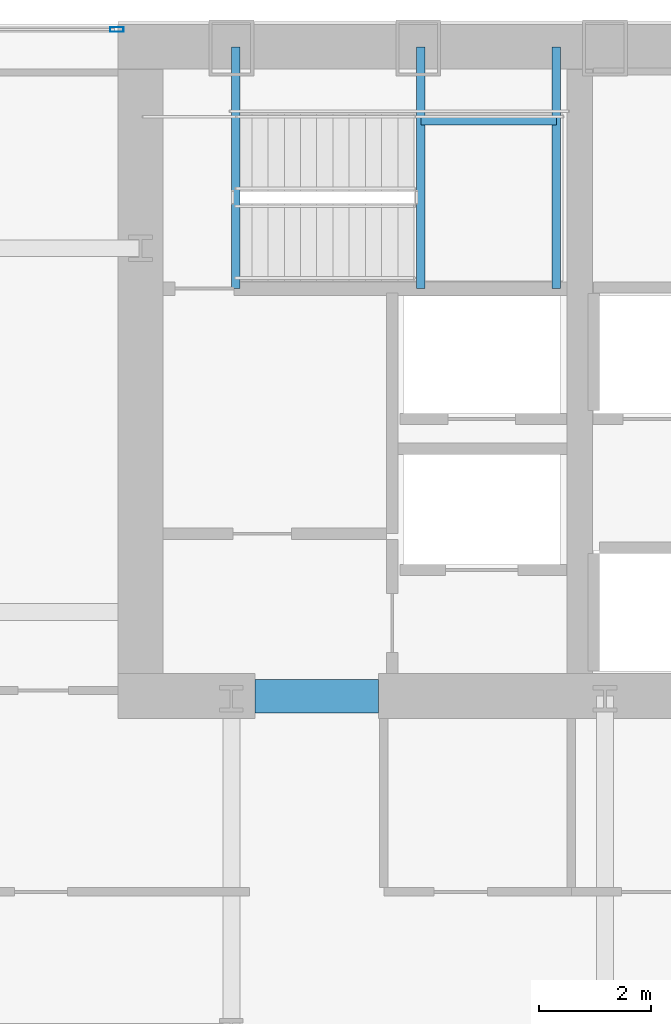
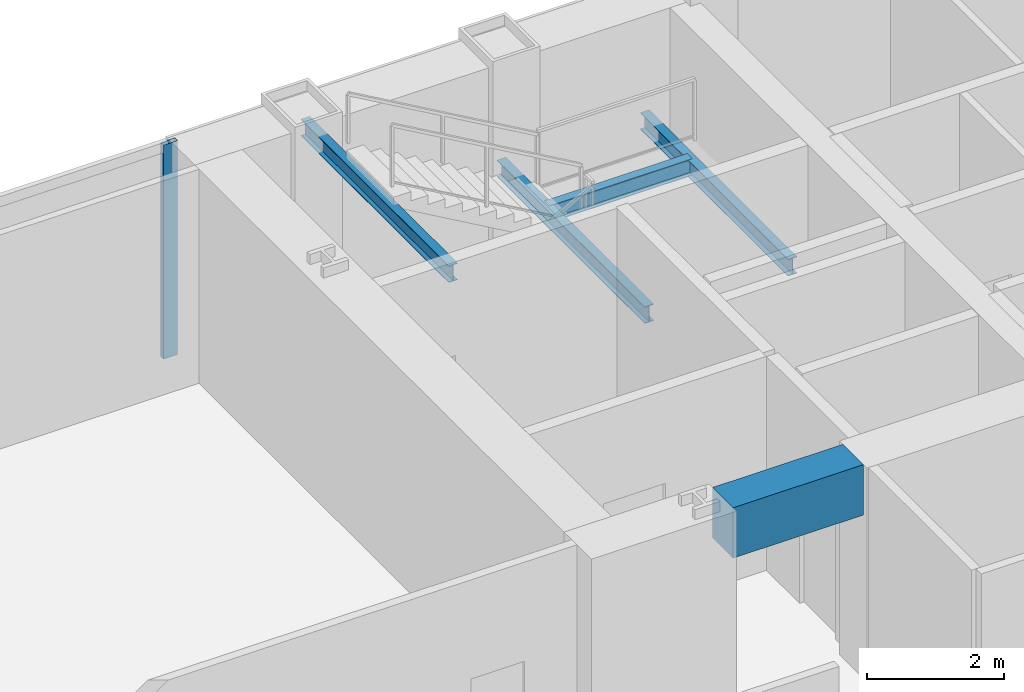
# One storey, part 18 of 32: 5 beams, 1 member, 1 element without a shape of its own.
"""IFC4 building model written with IfcOpenShell, lengths in metres."""

from ifc_helpers import new_model, si_unit, direction, frame, origin, origin_2d, place, context, subcontext, project, spatial, rectangle, hollow_rectangle, i_section, extrude, material, material_profile, profile_set, type_object, element, aggregate, save


model = new_model("IFC4")

# Units and contexts
model_context = context("Model", 3, precision=1e-05, world=origin(), true_north=direction((0.0, 1.0)))
body_context = subcontext(model_context, "Body", "Model", "MODEL_VIEW")
ifc_project = project(units=[si_unit("LENGTHUNIT", "METRE"), si_unit("AREAUNIT", "SQUARE_METRE"), si_unit("VOLUMEUNIT", "CUBIC_METRE"), si_unit("PLANEANGLEUNIT", "RADIAN"), si_unit("MASSUNIT", "GRAM", prefix="KILO")], contexts=[model_context])

# Site, building, storey
site_placement = place(None, origin())
site = spatial("IfcSite", under=ifc_project, at=site_placement, CompositionType="ELEMENT")
building_placement = place(site_placement, origin())
building = spatial("IfcBuilding", under=site, at=building_placement, Name="Khoronbel Lancet Exchange", CompositionType="ELEMENT")
storey_placement = place(building_placement, frame((0.0, 0.0, 29.800048828125)))
storey = spatial("IfcBuildingStorey", under=building, at=storey_placement, Name="L06", CompositionType="ELEMENT", Elevation=29.800048828125)

# Beams
ifc_material_1 = material(Name="Steel S355", Category="steel")
ifc_material_profile_1 = material_profile(ifc_material_1, i_section(OverallWidth=0.14990234375, OverallDepth=0.300048828125, WebThickness=0.007080078125, FlangeThickness=0.0107421875, at=origin_2d()), Name="IPE 300")
ifc_profile_set_1 = profile_set([ifc_material_profile_1], Name="Steel S355")
beam_type_1 = type_object("IfcBeamType", Name="BM-BJ8", PredefinedType="JOIST", material=ifc_profile_set_1)
for number, where, z_axis, x_axis, name in (
    (1, (21.610107421875, 48.97998046875, 1.64990234375), (0.0, 1.0, 0.0), (-1.0, 0.0, 0.0), "Level L06 stair ST1 landing bearer beam 1"),
    (2, (24.030029296875, 48.97998046875, 1.64990234375), (0.0, 1.0, 0.0), (-1.0, 0.0, 0.0), "Level L06 stair ST1 rear landing bearer beam 1"),
):
    element("IfcBeam", number, at=place(storey_placement, frame(where, z_axis=z_axis, x_axis=x_axis)), inside=storey, type_object=beam_type_1, Name=name, PredefinedType="JOIST", context=body_context, shape_type="SweptSolid", body=[
        extrude(i_section(OverallWidth=0.14990234375, OverallDepth=0.300048828125, WebThickness=0.007080078125, FlangeThickness=0.0107421875, at=origin_2d()), origin(), (0.0, 0.0, 1.0), 4.320068359375),
    ])
beam_1_placement = place(storey_placement, frame((21.610107421875, 51.97998046875, 1.64990234375), z_axis=(1.0, 0.0, 0.0), x_axis=(0.0, 1.0, 0.0)))
element("IfcBeam", 3, at=beam_1_placement, inside=storey, type_object=beam_type_1, Name="Level L06 stair ST1 landing cross trimmer beam 1", PredefinedType="JOIST", context=body_context, shape_type="SweptSolid", body=[
    extrude(i_section(OverallWidth=0.14990234375, OverallDepth=0.300048828125, WebThickness=0.007080078125, FlangeThickness=0.0107421875, at=origin_2d()), origin(), (0.0, 0.0, 1.0), 2.419921875),
])
beam_2_placement = place(storey_placement, frame((18.300048828125, 48.97998046875, 3.5400390625), z_axis=(0.0, 1.0, 0.0), x_axis=(-1.0, 0.0, 0.0)))
element("IfcBeam", 4, at=beam_2_placement, inside=storey, type_object=beam_type_1, Name="Level L06 stair ST1 upper-flight arrival trimmer beam", PredefinedType="JOIST", context=body_context, shape_type="SweptSolid", body=[
    extrude(i_section(OverallWidth=0.14990234375, OverallDepth=0.300048828125, WebThickness=0.007080078125, FlangeThickness=0.0107421875, at=origin_2d()), origin(), (0.0, 0.0, 1.0), 4.320068359375),
])
ifc_material_2 = material(Name="Concrete C80/95", Category="concrete")
ifc_material_profile_2 = material_profile(ifc_material_2, rectangle(XDim=0.60009765625, YDim=0.89990234375, at=origin_2d()), Name="RC 600x900")
ifc_profile_set_2 = profile_set([ifc_material_profile_2], Name="Concrete C80/95")
beam_type_2 = type_object("IfcBeamType", Name="BM-BL1", PredefinedType="LINTEL", material=ifc_profile_set_2)
beam_3_placement = place(storey_placement, frame((18.64990234375, 41.699951171875, 3.369873046875), z_axis=(1.0, 0.0, 0.0), x_axis=(0.0, 1.0, 0.0)))
element("IfcBeam", 5, at=beam_3_placement, inside=storey, type_object=beam_type_2, Name="Level L06 rear core coupling lintel L1", PredefinedType="LINTEL", context=body_context, shape_type="SweptSolid", body=[
    extrude(rectangle(XDim=0.60009765625, YDim=0.89990234375, at=origin_2d()), origin(), (0.0, 0.0, 1.0), 2.2001953125),
])

# Curtain wall, member
ifc_material_3 = material(Name="Low-E Solar Control Insulating Glass", Category="glass")
curtain_wall_type = type_object("IfcCurtainWallType", Name="CW-1", PredefinedType="NOTDEFINED", material=ifc_material_3)
curtain_wall_placement = place(storey_placement, origin())
curtain_wall = element("IfcCurtainWall", 6, at=curtain_wall_placement, inside=storey, type_object=curtain_wall_type, Name="Unitised curtain wall CW-L06-NWFLK", PredefinedType="NOTDEFINED")
ifc_material_4 = material(Name="Bronze-Anodised Aluminium 6063-T6", Category="aluminium")
ifc_material_profile_3 = material_profile(ifc_material_4, hollow_rectangle(XDim=0.0849609375, YDim=0.239990234375, WallThickness=0.006103515625, at=origin_2d()), Name="ALU MULLION 85x240")
ifc_profile_set_3 = profile_set([ifc_material_profile_3], Name="Bronze-Anodised Aluminium 6063-T6")
member_type = type_object("IfcMemberType", Name="MEM-CWM1", PredefinedType="MULLION", material=ifc_profile_set_3)
member_placement = place(storey_placement, frame((16.177490234375, 53.610107421875, 0.0), z_axis=(0.0, 0.0, 1.0), x_axis=(0.0, -1.0, 0.0)))
member = element("IfcMember", 7, at=member_placement, type_object=member_type, Name="CW1 mullion 1", PredefinedType="MULLION", context=body_context, shape_type="SweptSolid", body=[
    extrude(hollow_rectangle(XDim=0.0849609375, YDim=0.239990234375, WallThickness=0.006103515625, at=origin_2d()), origin(), (0.0, 0.0, 1.0), 3.820068359375),
])
aggregate(curtain_wall, [member])

save(model, "model.ifc")
